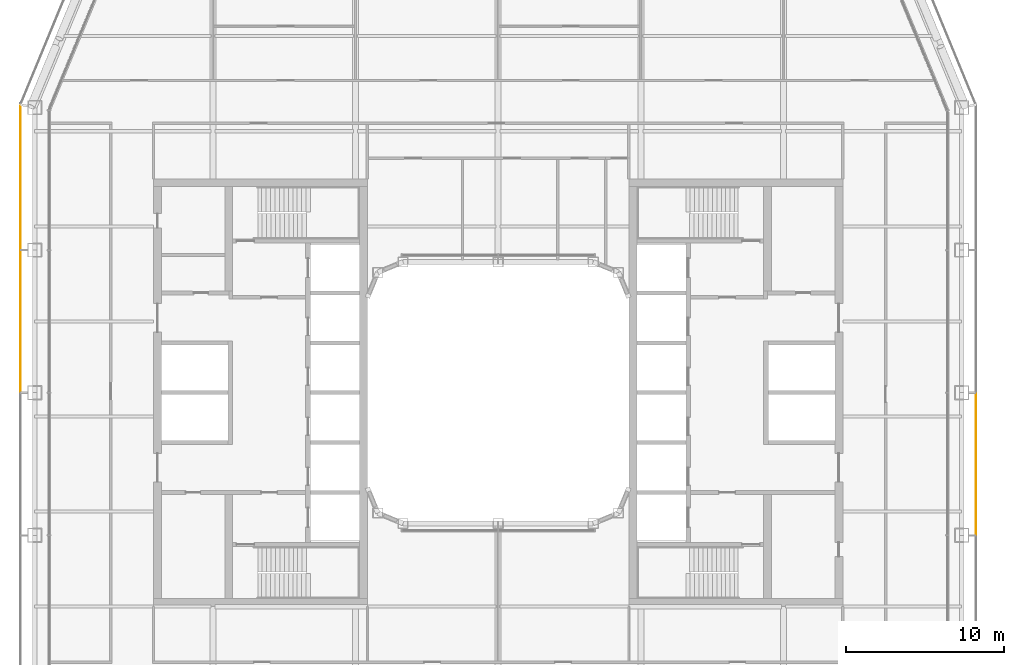
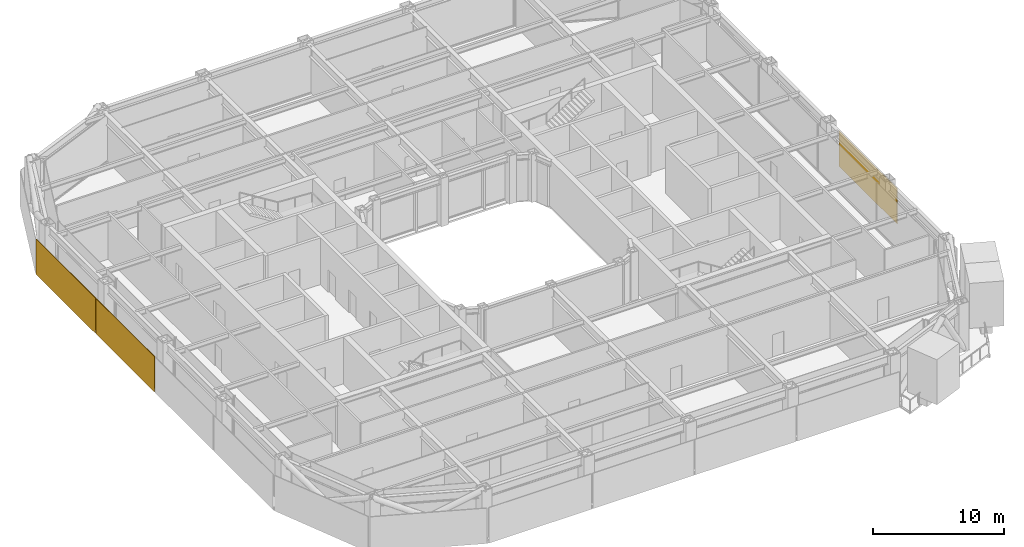
# One storey, part 20 of 23: 3 coverings.
"""IFC4 building model written with IfcOpenShell, lengths in metres."""

from ifc_helpers import new_model, si_unit, direction, frame, origin, origin_2d, place, context, subcontext, project, spatial, rectangle, extrude, material, layer, layer_set, type_object, element, save


model = new_model("IFC4")

# Units and contexts
model_context = context("Model", 3, precision=1e-05, world=origin(), true_north=direction((0.0, 1.0)))
body_context = subcontext(model_context, "Body", "Model", "MODEL_VIEW")
ifc_project = project(units=[si_unit("LENGTHUNIT", "METRE"), si_unit("AREAUNIT", "SQUARE_METRE"), si_unit("VOLUMEUNIT", "CUBIC_METRE"), si_unit("PLANEANGLEUNIT", "RADIAN"), si_unit("MASSUNIT", "GRAM", prefix="KILO")], contexts=[model_context])

# Site, building, storey
site_placement = place(None, origin())
site = spatial("IfcSite", under=ifc_project, at=site_placement, CompositionType="ELEMENT")
building_placement = place(site_placement, origin())
building = spatial("IfcBuilding", under=site, at=building_placement, Name="Siwar Civic Tower", CompositionType="ELEMENT")
storey_placement = place(building_placement, frame((0.0, 0.0, 145.199951171875)))
storey = spatial("IfcBuildingStorey", under=building, at=storey_placement, Name="L31", CompositionType="ELEMENT", Elevation=145.199951171875)

# Coverings
ifc_material_1 = material(Name="Perforated aluminium cassette, pale metal", Category="aluminium")
ifc_layer_1 = layer(ifc_material_1, 0.0400390625)
ifc_layer_set_1 = layer_set([ifc_layer_1], Name="Perforated aluminium cassette, pale metal")
covering_type_1 = type_object("IfcCoveringType", Name="ENV-OUTER SKIN OS-1", PredefinedType="CLADDING", material=ifc_layer_set_1)
covering_1_placement = place(storey_placement, frame((30.14990234375, -4.5, -0.14990234375), z_axis=(0.0, 0.0, 1.0), x_axis=(0.0, 1.0, 0.0)))
element("IfcCovering", 1, at=covering_1_placement, inside=storey, type_object=covering_type_1, Name="OUTER SKIN OS-1 E 2", PredefinedType="CLADDING", context=body_context, shape_type="SweptSolid", body=[
    extrude(rectangle(XDim=8.89990234375, YDim=0.0400390625, at=origin_2d()), origin(), (0.0, 0.0, 1.0), 3.300048828125),
])
ifc_material_2 = material(Name="Perforated aluminium cassette, pale metal", Category="aluminium")
ifc_layer_2 = layer(ifc_material_2, 0.050048828125)
ifc_layer_set_2 = layer_set([ifc_layer_2], Name="Perforated aluminium cassette, pale metal")
covering_type_2 = type_object("IfcCoveringType", Name="ENV-OUTER SKIN OS-3", PredefinedType="CLADDING", material=ifc_layer_set_2)
covering_2_placement = place(storey_placement, frame((-30.14990234375, 13.57958984375, -0.14990234375), z_axis=(0.0, 0.0, 1.0), x_axis=(0.0, -1.0, 0.0)))
element("IfcCovering", 2, at=covering_2_placement, inside=storey, type_object=covering_type_2, Name="OUTER SKIN OS-3 W 1", PredefinedType="CLADDING", context=body_context, shape_type="SweptSolid", body=[
    extrude(rectangle(XDim=9.05908203125, YDim=0.050048828125, at=origin_2d()), origin(), (0.0, 0.0, 1.0), 3.300048828125),
])
covering_3_placement = place(storey_placement, frame((-30.14990234375, 4.5, -0.14990234375), z_axis=(0.0, 0.0, 1.0), x_axis=(0.0, -1.0, 0.0)))
element("IfcCovering", 3, at=covering_3_placement, inside=storey, type_object=covering_type_2, Name="OUTER SKIN OS-3 W 2", PredefinedType="CLADDING", context=body_context, shape_type="SweptSolid", body=[
    extrude(rectangle(XDim=8.89990234375, YDim=0.050048828125, at=origin_2d()), origin(), (0.0, 0.0, 1.0), 3.300048828125),
])

save(model, "model.ifc")
